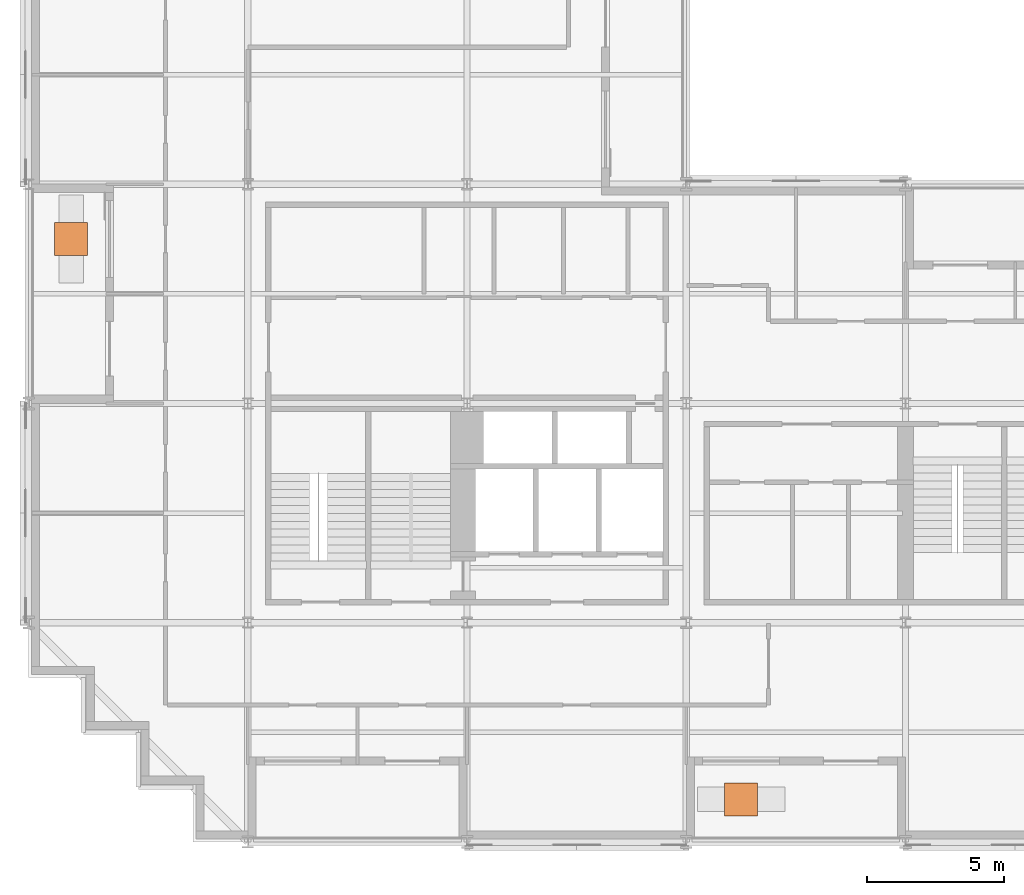
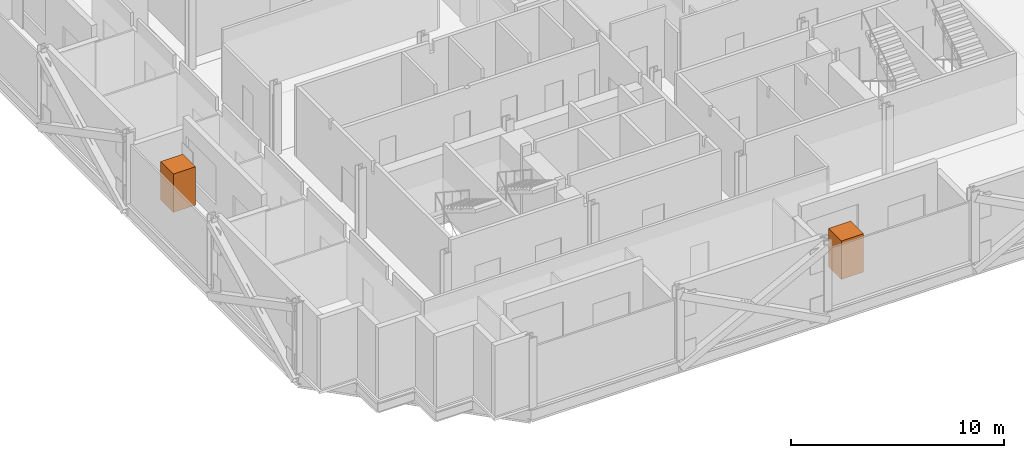
# One storey, part 12 of 12: 2 geographic elements.
"""IFC4 building model written with IfcOpenShell, lengths in metres."""

from ifc_helpers import new_model, si_unit, direction, frame, origin, origin_2d, place, context, subcontext, project, spatial, rectangle, extrude, material, type_object, element, save


model = new_model("IFC4")

# Units and contexts
model_context = context("Model", 3, precision=1e-05, world=origin(), true_north=direction((0.0, 1.0)))
body_context = subcontext(model_context, "Body", "Model", "MODEL_VIEW")
ifc_project = project(units=[si_unit("LENGTHUNIT", "METRE"), si_unit("AREAUNIT", "SQUARE_METRE"), si_unit("VOLUMEUNIT", "CUBIC_METRE"), si_unit("PLANEANGLEUNIT", "RADIAN"), si_unit("MASSUNIT", "GRAM", prefix="KILO")], contexts=[model_context])

# Site, building, storey
site_placement = place(None, origin())
site = spatial("IfcSite", under=ifc_project, at=site_placement, CompositionType="ELEMENT")
building_placement = place(site_placement, origin())
building = spatial("IfcBuilding", under=site, at=building_placement, Name="Immortelle Media Tower", CompositionType="ELEMENT")
storey_placement = place(building_placement, frame((0.0, 0.0, 136.800048828125)))
storey = spatial("IfcBuildingStorey", under=building, at=storey_placement, Name="L27", CompositionType="ELEMENT", Elevation=136.800048828125)

# Geographic elements
ifc_material = material(Name="Tree canopy foliage")
geographic_element_type = type_object("IfcGeographicElementType", Name="Tree", PredefinedType="USERDEFINED", material=ifc_material)
for number, where, z_axis, x_axis, name in (
    (1, (26.0, 1.550048828125, 0.60009765625), (0.0, 0.0, 1.0), (1.0, 0.0, 0.0), "Tree L27 S2"),
    (2, (1.550048828125, 22.0, 0.60009765625), (0.0, 0.0, 1.0), (1.0, 0.0, 0.0), "Tree L27 W2"),
):
    element("IfcGeographicElement", number, at=place(storey_placement, frame(where, z_axis=z_axis, x_axis=x_axis)), inside=storey, type_object=geographic_element_type, Name=name, ObjectType="Tree", PredefinedType="USERDEFINED", context=body_context, shape_type="SweptSolid", body=[
        extrude(rectangle(XDim=1.199951171875, YDim=1.199951171875, at=origin_2d()), origin(), (0.0, 0.0, 1.0), 2.199951171875),
    ])

save(model, "model.ifc")
